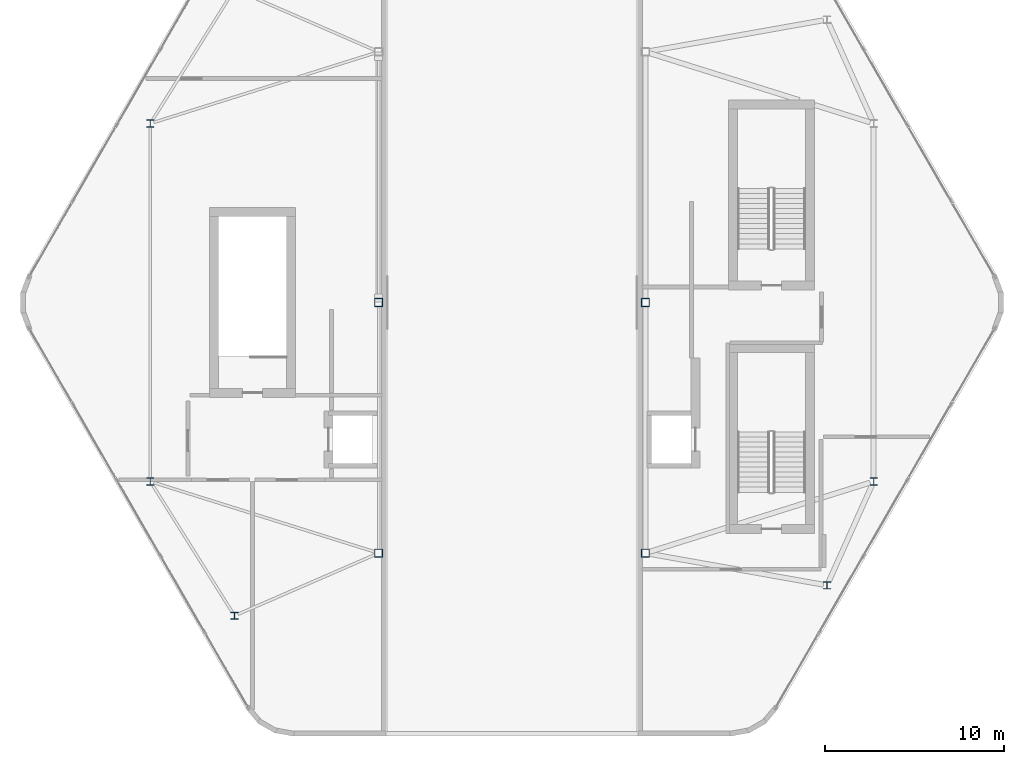
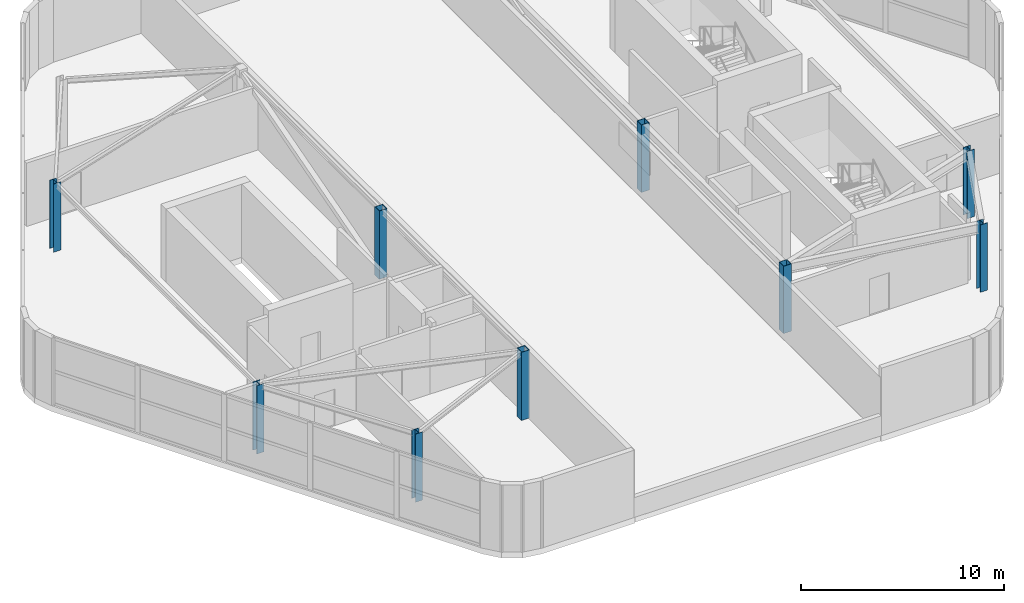
# One storey, part 1 of 14: 9 columns.
"""IFC4 building model written with IfcOpenShell, lengths in metres."""

from ifc_helpers import new_model, si_unit, direction, frame, origin, origin_2d, place, context, subcontext, project, spatial, hollow_rectangle, i_section, extrude, material, material_profile, profile_set, type_object, element, save


model = new_model("IFC4")

# Units and contexts
model_context = context("Model", 3, precision=1e-05, world=origin(), true_north=direction((0.0, 1.0)))
body_context = subcontext(model_context, "Body", "Model", "MODEL_VIEW")
ifc_project = project(units=[si_unit("LENGTHUNIT", "METRE"), si_unit("AREAUNIT", "SQUARE_METRE"), si_unit("VOLUMEUNIT", "CUBIC_METRE"), si_unit("PLANEANGLEUNIT", "RADIAN"), si_unit("MASSUNIT", "GRAM", prefix="KILO")], contexts=[model_context])

# Site, building, storey
site_placement = place(None, origin())
site = spatial("IfcSite", under=ifc_project, at=site_placement, CompositionType="ELEMENT")
building_placement = place(site_placement, origin())
building = spatial("IfcBuilding", under=site, at=building_placement, Name="Zuhravey Tower", CompositionType="ELEMENT")
storey_placement = place(building_placement, frame((0.0, 0.0, 379.0)))
storey = spatial("IfcBuildingStorey", under=building, at=storey_placement, Name="L96", CompositionType="ELEMENT", Elevation=379.0)

# Columns
ifc_material = material(Name="Steel SM355", Category="steel")
ifc_material_profile_1 = material_profile(ifc_material, i_section(OverallWidth=0.39990234375, OverallDepth=0.39990234375, WebThickness=0.012939453125, FlangeThickness=0.02099609375, at=origin_2d()), Name="H-400x400x13x21")
ifc_profile_set_1 = profile_set([ifc_material_profile_1], Name="Steel SM355")
column_type_1 = type_object("IfcColumnType", Name="Crown Crest Column H400x400", PredefinedType="COLUMN", material=ifc_profile_set_1)
for number, where, z_axis, x_axis, name in (
    (1, (15.800048828125, 22.0, 0.0), (0.0, 0.0, 1.0), (1.0, 0.0, 0.0), "L96 West Crest Column WC1"),
    (2, (15.800048828125, 42.0, 0.0), (0.0, 0.0, 1.0), (1.0, 0.0, 0.0), "L96 West Crest Column WC2"),
    (3, (20.5, 14.5, 0.0), (0.0, 0.0, 1.0), (1.0, 0.0, 0.0), "L96 West Crest Column WC3"),
):
    element("IfcColumn", number, at=place(storey_placement, frame(where, z_axis=z_axis, x_axis=x_axis)), inside=storey, type_object=column_type_1, Name=name, PredefinedType="COLUMN", context=body_context, shape_type="SweptSolid", body=[
        extrude(i_section(OverallWidth=0.39990234375, OverallDepth=0.39990234375, WebThickness=0.012939453125, FlangeThickness=0.02099609375, at=origin_2d()), origin(), (0.0, 0.0, 1.0), 4.10009765625),
    ])
for number, where, z_axis, x_axis, name in (
    (4, (56.199951171875, 22.0, 0.0), (0.0, 0.0, 1.0), (1.0, 0.0, 0.0), "L96 East Crest Column EC1"),
    (5, (53.60009765625, 16.199951171875, 0.0), (0.0, 0.0, 1.0), (1.0, 0.0, 0.0), "L96 East Crest Column EC3"),
):
    element("IfcColumn", number, at=place(storey_placement, frame(where, z_axis=z_axis, x_axis=x_axis)), inside=storey, type_object=column_type_1, Name=name, PredefinedType="COLUMN", context=body_context, shape_type="SweptSolid", body=[
        extrude(i_section(OverallWidth=0.39990234375, OverallDepth=0.39990234375, WebThickness=0.012939453125, FlangeThickness=0.02099609375, at=origin_2d()), origin(), (0.0, 0.0, 1.0), 4.050048828125),
    ])
ifc_material_profile_2 = material_profile(ifc_material, hollow_rectangle(XDim=0.449951171875, YDim=0.449951171875, WallThickness=0.02197265625, at=origin_2d()), Name="RHS-450x450x22")
ifc_profile_set_2 = profile_set([ifc_material_profile_2], Name="Steel SM355")
column_type_2 = type_object("IfcColumnType", Name="Crown Portal Pilaster RHS450x450", PredefinedType="PILASTER", material=ifc_profile_set_2)
for number, where, z_axis, x_axis, name in (
    (6, (28.550048828125, 18.0, 0.0), (0.0, 0.0, 1.0), (1.0, 0.0, 0.0), "L96 West Crest Column WP1"),
    (7, (28.550048828125, 32.0, 0.0), (0.0, 0.0, 1.0), (1.0, 0.0, 0.0), "L96 West Crest Column WP2"),
):
    element("IfcColumn", number, at=place(storey_placement, frame(where, z_axis=z_axis, x_axis=x_axis)), inside=storey, type_object=column_type_2, Name=name, PredefinedType="PILASTER", context=body_context, shape_type="SweptSolid", body=[
        extrude(hollow_rectangle(XDim=0.449951171875, YDim=0.449951171875, WallThickness=0.02197265625, at=origin_2d()), origin(), (0.0, 0.0, 1.0), 4.10009765625),
    ])
for number, where, z_axis, x_axis, name in (
    (8, (43.449951171875, 18.0, 0.0), (0.0, 0.0, 1.0), (1.0, 0.0, 0.0), "L96 East Crest Column EP1"),
    (9, (43.449951171875, 32.0, 0.0), (0.0, 0.0, 1.0), (1.0, 0.0, 0.0), "L96 East Crest Column EP2"),
):
    element("IfcColumn", number, at=place(storey_placement, frame(where, z_axis=z_axis, x_axis=x_axis)), inside=storey, type_object=column_type_2, Name=name, PredefinedType="PILASTER", context=body_context, shape_type="SweptSolid", body=[
        extrude(hollow_rectangle(XDim=0.449951171875, YDim=0.449951171875, WallThickness=0.02197265625, at=origin_2d()), origin(), (0.0, 0.0, 1.0), 4.050048828125),
    ])

save(model, "model.ifc")
